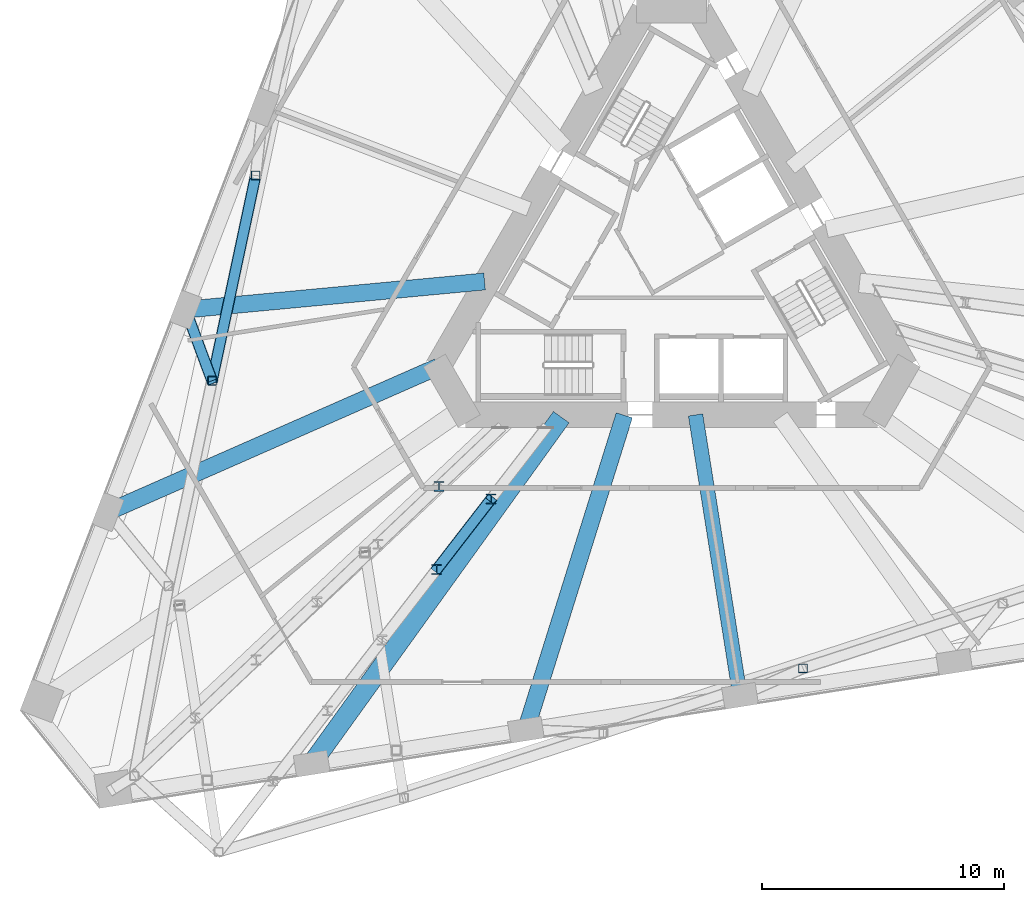
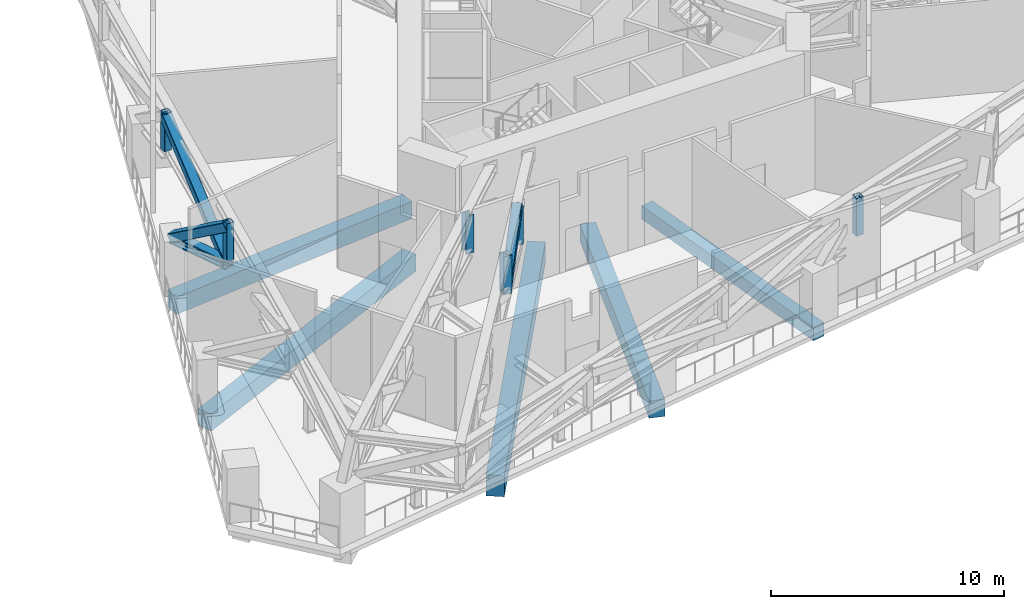
# One storey, part 4 of 20: 10 members, 5 beams.
"""IFC4 building model written with IfcOpenShell, lengths in metres."""

import ifcopenshell
import ifcopenshell.guid

model = None  # the IFC model being written
_history = None  # IfcOwnerHistory: only IFC2X3 demands one
_inside = {}  # id of a spatial element -> (the spatial element, [elements in it])
_under = {}  # id of a project, library or spatial element -> (it, [spatial elements below it])
_declared = {}  # id of a project -> (the project, [libraries it declares])
_typed = {}  # id of a type object -> (the type object, [elements of that type])
_made_of = {}  # id of a material, layer set ... -> (it, [elements and type objects made of it])


def new_model(schema):
    """Start an empty IFC model of exactly this schema.

    Asked for "IFC4X3", IfcOpenShell would pick the latest addendum, in which some entities
    have other attributes; the version numbers below select the first issue.
    IFC2X3 requires an IfcOwnerHistory on every rooted entity: one is made here for all.
    """
    global model, _history
    if schema == "IFC4X3":
        model = ifcopenshell.file(schema_version=(4, 3, 0, 0))
    else:
        model = ifcopenshell.file(schema=schema)
    _inside.clear()
    _under.clear()
    _declared.clear()
    _typed.clear()
    _made_of.clear()
    _history = None
    if model.schema == "IFC2X3":
        org = make("IfcOrganization", Name="unknown")
        user = make(
            "IfcPersonAndOrganization",
            ThePerson=make("IfcPerson", FamilyName="unknown"),
            TheOrganization=org,
        )
        app = make(
            "IfcApplication",
            ApplicationDeveloper=org,
            Version="unknown",
            ApplicationFullName="unknown",
            ApplicationIdentifier="unknown",
        )
        _history = make(
            "IfcOwnerHistory",
            OwningUser=user,
            OwningApplication=app,
            ChangeAction="ADDED",
            CreationDate=0,
        )
    return model


def make(cls, **values):
    """One entity of the class cls with the attributes given. An attribute that is None is left unset."""
    return model.create_entity(
        cls, **{name: value for name, value in values.items() if value is not None}
    )


def rooted(cls, **values):
    """An entity with a GlobalId (a new one), such as an element, a storey or a relation."""
    return make(cls, GlobalId=ifcopenshell.guid.new(), OwnerHistory=_history, **values)


def si_unit(unit_type, name, prefix=None):
    """IfcSIUnit, for example si_unit("LENGTHUNIT", "METRE", prefix="MILLI")."""
    return make("IfcSIUnit", UnitType=unit_type, Prefix=prefix, Name=name)


def assignment(units):
    """IfcUnitAssignment: the units of a project."""
    return None if units is None else make("IfcUnitAssignment", Units=units)


def point(xyz):
    """IfcCartesianPoint."""
    return None if xyz is None else make("IfcCartesianPoint", Coordinates=xyz)


def direction(xyz):
    """IfcDirection."""
    return None if xyz is None else make("IfcDirection", DirectionRatios=xyz)


def frame(location, z_axis=None, x_axis=None):
    """IfcAxis2Placement3D, a coordinate frame: its origin and axes. An axis left out is left unset."""
    return make(
        "IfcAxis2Placement3D",
        Location=point(location),
        Axis=direction(z_axis),
        RefDirection=direction(x_axis),
    )


def frame_2d(location, x_axis=None):
    """IfcAxis2Placement2D, a coordinate frame in the plane: its origin and x axis."""
    return make(
        "IfcAxis2Placement2D", Location=point(location), RefDirection=direction(x_axis)
    )


def origin():
    """The frame at (0, 0, 0) with its axes left unset."""
    return frame((0.0, 0.0, 0.0))


def origin_2d():
    """The frame at (0, 0) in the plane with its x axis left unset."""
    return frame_2d((0.0, 0.0))


def place(relative_to, where):
    """IfcLocalPlacement: puts the frame where relative to a parent placement (None: the world)."""
    return make(
        "IfcLocalPlacement", PlacementRelTo=relative_to, RelativePlacement=where
    )


def context(
    kind, dimensions, precision=None, world=None, true_north=None, identifier=None
):
    """IfcGeometricRepresentationContext, for example the 3D "Model" context."""
    return make(
        "IfcGeometricRepresentationContext",
        ContextIdentifier=identifier,
        ContextType=kind,
        CoordinateSpaceDimension=dimensions,
        Precision=precision,
        WorldCoordinateSystem=world,
        TrueNorth=true_north,
    )


def subcontext(parent, identifier, kind, view, scale=None):
    """IfcGeometricRepresentationSubContext, for example "Body" below "Model"."""
    return make(
        "IfcGeometricRepresentationSubContext",
        ContextIdentifier=identifier,
        ContextType=kind,
        ParentContext=parent,
        TargetScale=scale,
        TargetView=view,
    )


def project(units=None, contexts=None):
    """IfcProject with its units and contexts."""
    return rooted(
        "IfcProject",
        Name="project",
        RepresentationContexts=contexts,
        UnitsInContext=assignment(units),
    )


def spatial(cls, under=None, at=None, **own):
    """A site, building, storey or space (cls), placed at a placement, below another one or the project."""
    s = rooted(cls, ObjectPlacement=at, **own)
    if under is not None:
        _under.setdefault(under.id(), (under, []))[1].append(s)
    return s


def profile(cls, at=None, kind="AREA", **sizes):
    """A parametric profile (cls). Its sizes go by their IFC names, for example OverallWidth=200.0."""
    return make(cls, ProfileType=kind, Position=at, **sizes)


def rectangle(**sizes):
    """IfcRectangleProfileDef."""
    return profile("IfcRectangleProfileDef", **sizes)


def hollow_rectangle(**sizes):
    """IfcRectangleHollowProfileDef."""
    return profile("IfcRectangleHollowProfileDef", **sizes)


def i_section(**sizes):
    """IfcIShapeProfileDef."""
    return profile("IfcIShapeProfileDef", **sizes)


def extrude(swept, where, along, depth):
    """IfcExtrudedAreaSolid: the profile swept, set in the frame where, extruded along a direction by depth."""
    return make(
        "IfcExtrudedAreaSolid",
        SweptArea=swept,
        Position=where,
        ExtrudedDirection=direction(along),
        Depth=depth,
    )


def shape(context_of_items, identifier, shape_type, items):
    """IfcShapeRepresentation: the items that make up one representation, for example the "Body"."""
    return make(
        "IfcShapeRepresentation",
        ContextOfItems=context_of_items,
        RepresentationIdentifier=identifier,
        RepresentationType=shape_type,
        Items=items,
    )


def material(Name=None, Category=None):
    """IfcMaterial."""
    return make("IfcMaterial", Name=Name, Category=Category)


def material_profile(
    of_material, cross_section, Name=None, Category=None, Priority=None
):
    """IfcMaterialProfile: a cross section and its material."""
    return make(
        "IfcMaterialProfile",
        Name=Name,
        Material=of_material,
        Profile=cross_section,
        Priority=Priority,
        Category=Category,
    )


def profile_set(profiles, Name=None, composite=None):
    """IfcMaterialProfileSet."""
    return make(
        "IfcMaterialProfileSet",
        Name=Name,
        MaterialProfiles=profiles,
        CompositeProfile=composite,
    )


def made_of(thing, what):
    """Note that an element or type object is made of a material, layer set ...; save() writes the relation."""
    if what is not None:
        _made_of.setdefault(what.id(), (what, []))[1].append(thing)
    return thing


def type_object(cls, material=None, **own):
    """A type object (cls), such as IfcWallType, which elements share."""
    return made_of(rooted(cls, **own), material)


def element(
    cls,
    number,
    at=None,
    inside=None,
    cuts=None,
    type_object=None,
    material=None,
    context=None,
    identifier="Body",
    shape_type=None,
    held_by="IfcProductDefinitionShape",
    body=None,
    shapes=None,
    **own,
):
    """One element of the class cls, such as IfcWall. Its Tag is "e" and its number.

    at: its placement. inside: the storey or other place that contains it. cuts: it is an
    opening in that element (IfcRelVoidsElement). A single representation is given by context,
    identifier, shape_type and body (its items); several are given by shapes. held_by: the class
    of the entity that holds the representations. save() writes the other relations.
    """
    e = rooted(cls, Tag="e%d" % number, ObjectPlacement=at, **own)
    if body is not None:
        shapes = [shape(context, identifier, shape_type, body)]
    if shapes is not None:
        e.Representation = make(held_by, Representations=shapes)
    if inside is not None:
        _inside.setdefault(inside.id(), (inside, []))[1].append(e)
    if cuts is not None:
        rooted(
            "IfcRelVoidsElement", RelatingBuildingElement=cuts, RelatedOpeningElement=e
        )
    if type_object is not None:
        _typed.setdefault(type_object.id(), (type_object, []))[1].append(e)
    return made_of(e, material)


def aggregate(whole, parts):
    """IfcRelAggregates: a whole, such as a stair, and the parts it consists of."""
    return rooted("IfcRelAggregates", RelatingObject=whole, RelatedObjects=parts)


def save(model, path):
    """Write the relations noted so far, then the file.

    IfcRelAggregates (storeys below a building ...), IfcRelContainedInSpatialStructure (elements
    in a storey), IfcRelDefinesByType, IfcRelAssociatesMaterial and IfcRelDeclares: one each for
    every whole, place, type object, material and project.
    """
    for whole, parts in _under.values():
        aggregate(whole, parts)
    for where, things in _inside.values():
        rooted(
            "IfcRelContainedInSpatialStructure",
            RelatedElements=things,
            RelatingStructure=where,
        )
    for kind, things in _typed.values():
        rooted("IfcRelDefinesByType", RelatedObjects=things, RelatingType=kind)
    for what, things in _made_of.values():
        rooted("IfcRelAssociatesMaterial", RelatedObjects=things, RelatingMaterial=what)
    for by, libraries in _declared.values():
        rooted("IfcRelDeclares", RelatingContext=by, RelatedDefinitions=libraries)
    model.write(path)


model = new_model("IFC4")

# Units and contexts
model_context = context("Model", 3, precision=1e-05, world=origin(), true_north=direction((0.0, 1.0)))
body_context = subcontext(model_context, "Body", "Model", "MODEL_VIEW")
ifc_project = project(units=[si_unit("LENGTHUNIT", "METRE"), si_unit("AREAUNIT", "SQUARE_METRE"), si_unit("VOLUMEUNIT", "CUBIC_METRE"), si_unit("PLANEANGLEUNIT", "RADIAN"), si_unit("MASSUNIT", "GRAM", prefix="KILO")], contexts=[model_context])

# Site, building, storey
site_placement = place(None, origin())
site = spatial("IfcSite", under=ifc_project, at=site_placement, CompositionType="ELEMENT")
building_placement = place(site_placement, origin())
building = spatial("IfcBuilding", under=site, at=building_placement, Name="Tramontana Tower", CompositionType="ELEMENT")
storey_placement = place(building_placement, frame((0.0, 0.0, 83.199951171875)))
storey = spatial("IfcBuildingStorey", under=building, at=storey_placement, Name="L18", CompositionType="ELEMENT", Elevation=83.199951171875)

# Members
ifc_material_1 = material(Name="Steel ASTM A500 Grade C", Category="steel")
ifc_material_profile_1 = material_profile(ifc_material_1, hollow_rectangle(XDim=0.355712890625, YDim=0.355712890625, WallThickness=0.01171875, InnerFilletRadius=0.01171875, OuterFilletRadius=0.023681640625, at=origin_2d()), Name="HSS14X14X1/2")
ifc_profile_set_1 = profile_set([ifc_material_profile_1], Name="Steel ASTM A500 Grade C")
member_type_1 = type_object("IfcMemberType", Name="Belt truss HSS14X14X1/2 post", PredefinedType="POST", material=ifc_profile_set_1)
for number, where, z_axis, x_axis, name in (
    (1, (-17.16650390625, 3.64892578125, 2.86376953125), (0.0, 0.0, 1.0), (1.0, 0.0, 0.0), "Belt truss post C2F03"),
    (2, (-18.967041015625, -4.822265625, 2.86376953125), (0.0, 0.0, 1.0), (1.0, 0.0, 0.0), "Belt truss post C2F04"),
    (3, (5.423095703125, -16.69091796875, 2.86376953125), (0.0, 0.0, 1.0), (1.0, 0.0, 0.0), "Belt truss post C2F08"),
):
    element("IfcMember", number, at=place(storey_placement, frame(where, z_axis=z_axis, x_axis=x_axis)), inside=storey, type_object=member_type_1, Name=name, PredefinedType="POST", context=body_context, shape_type="SweptSolid", body=[
        extrude(hollow_rectangle(XDim=0.355712890625, YDim=0.355712890625, WallThickness=0.01171875, InnerFilletRadius=0.01171875, OuterFilletRadius=0.023681640625, at=origin_2d()), origin(), (0.0, 0.0, 1.0), 1.986328125),
    ])
ifc_material_2 = material(Name="Steel ASTM A500 Grade C", Category="steel")
ifc_material_profile_2 = material_profile(ifc_material_2, hollow_rectangle(XDim=0.457275390625, YDim=0.457275390625, WallThickness=0.017822265625, InnerFilletRadius=0.017822265625, OuterFilletRadius=0.035400390625, at=origin_2d()), Name="HSS18X18X3/4")
ifc_profile_set_2 = profile_set([ifc_material_profile_2], Name="Steel ASTM A500 Grade C")
member_type_2 = type_object("IfcMemberType", Name="Belt truss HSS18X18X3/4 brace", PredefinedType="BRACE", material=ifc_profile_set_2)
member_1_placement = place(storey_placement, frame((-17.16650390625, 3.64892578125, 4.6181640625), z_axis=(-0.202642291593, -0.953394201177, -0.223552228393), x_axis=(0.978149249389, -0.207903934355, 0.0)))
element("IfcMember", 4, at=member_1_placement, inside=storey, type_object=member_type_2, Name="Belt truss diagonal S0.4", PredefinedType="BRACE", context=body_context, shape_type="SweptSolid", body=[
    extrude(hollow_rectangle(XDim=0.457275390625, YDim=0.457275390625, WallThickness=0.017822265625, InnerFilletRadius=0.017822265625, OuterFilletRadius=0.035400390625, at=origin_2d()), origin(), (0.0, 0.0, 1.0), 8.88525390625),
])

# Beams
ifc_material_3 = material(Name="Concrete 40 MPa", Category="concrete")
ifc_material_profile_3 = material_profile(ifc_material_3, rectangle(XDim=0.60009765625, YDim=0.699951171875, at=origin_2d()), Name="RC GIRDER 600X700 40 MPa")
ifc_profile_set_3 = profile_set([ifc_material_profile_3], Name="Concrete 40 MPa")
beam_type_1 = type_object("IfcBeamType", Name="RC GIRDER 600X700 40 MPa", PredefinedType="BEAM", material=ifc_profile_set_3)
beam_1_placement = place(storey_placement, frame((2.823486328125, -17.827880859375, -0.699951171875), z_axis=(-0.156412100064, 0.9876918826, 0.0), x_axis=(-0.9876918826, -0.156412100064, 0.0)))
element("IfcBeam", 5, at=beam_1_placement, inside=storey, type_object=beam_type_1, Name="Radial girder C1F08 L18", PredefinedType="BEAM", context=body_context, shape_type="SweptSolid", body=[
    extrude(rectangle(XDim=0.60009765625, YDim=0.699951171875, at=origin_2d()), origin(), (0.0, 0.0, 1.0), 11.740966796875),
])
ifc_material_4 = material(Name="Concrete 40 MPa", Category="concrete")
ifc_material_profile_4 = material_profile(ifc_material_4, rectangle(XDim=0.699951171875, YDim=0.89990234375, at=origin_2d()), Name="RC GIRDER 700X900 40 MPa")
ifc_profile_set_4 = profile_set([ifc_material_profile_4], Name="Concrete 40 MPa")
beam_type_2 = type_object("IfcBeamType", Name="RC GIRDER 700X900 40 MPa", PredefinedType="BEAM", material=ifc_profile_set_4)
beam_2_placement = place(storey_placement, frame((-20.05810546875, -1.885986328125, -0.800048828125), z_axis=(0.995608960431, 0.093609817375, 0.0), x_axis=(-0.093609817375, 0.995608960431, 0.0)))
element("IfcBeam", 6, at=beam_2_placement, inside=storey, type_object=beam_type_2, Name="Radial girder C1F04 L18", PredefinedType="BEAM", context=body_context, shape_type="SweptSolid", body=[
    extrude(rectangle(XDim=0.699951171875, YDim=0.89990234375, at=origin_2d()), origin(), (0.0, 0.0, 1.0), 12.3935546875),
])
beam_3_placement = place(storey_placement, frame((-23.26513671875, -10.240478515625, -0.800048828125), z_axis=(0.915262520168, 0.402857939199, 0.0), x_axis=(-0.402857939199, 0.915262520168, 0.0)))
element("IfcBeam", 7, at=beam_3_placement, inside=storey, type_object=beam_type_2, Name="Radial girder C1F05 L18", PredefinedType="BEAM", context=body_context, shape_type="SweptSolid", body=[
    extrude(rectangle(XDim=0.699951171875, YDim=0.89990234375, at=origin_2d()), origin(), (0.0, 0.0, 1.0), 14.87841796875),
])
beam_4_placement = place(storey_placement, frame((-6.01513671875, -19.227783203125, -0.800048828125), z_axis=(0.298567329493, 0.954388573779, 0.0), x_axis=(-0.954388573779, 0.298567329493, 0.0)))
element("IfcBeam", 8, at=beam_4_placement, inside=storey, type_object=beam_type_2, Name="Radial girder C1F07 L18", PredefinedType="BEAM", context=body_context, shape_type="SweptSolid", body=[
    extrude(rectangle(XDim=0.699951171875, YDim=0.89990234375, at=origin_2d()), origin(), (0.0, 0.0, 1.0), 13.599365234375),
])
ifc_material_5 = material(Name="Concrete 40 MPa", Category="concrete")
ifc_material_profile_5 = material_profile(ifc_material_5, rectangle(XDim=0.800048828125, YDim=1.10009765625, at=origin_2d()), Name="RC GIRDER 800X1100 40 MPa")
ifc_profile_set_5 = profile_set([ifc_material_profile_5], Name="Concrete 40 MPa")
beam_type_3 = type_object("IfcBeamType", Name="RC GIRDER 800X1100 40 MPa", PredefinedType="BEAM", material=ifc_profile_set_5)
beam_5_placement = place(storey_placement, frame((-14.85400390625, -20.627685546875, -0.89990234375), z_axis=(0.584356173005, 0.81149729702, 0.0), x_axis=(-0.81149729702, 0.584356173005, 0.0)))
element("IfcBeam", 9, at=beam_5_placement, inside=storey, type_object=beam_type_3, Name="Radial girder C1F06 L18", PredefinedType="BEAM", context=body_context, shape_type="SweptSolid", body=[
    extrude(rectangle(XDim=0.800048828125, YDim=1.10009765625, at=origin_2d()), origin(), (0.0, 0.0, 1.0), 17.626220703125),
])

# Members
ifc_material_6 = material(Name="Steel ASTM A500 Grade C", Category="steel")
ifc_material_profile_6 = material_profile(ifc_material_6, hollow_rectangle(XDim=0.457275390625, YDim=0.457275390625, WallThickness=0.017822265625, InnerFilletRadius=0.017822265625, OuterFilletRadius=0.035400390625, at=origin_2d()), Name="HSS18X18X3/4")
ifc_profile_set_6 = profile_set([ifc_material_profile_6], Name="Steel ASTM A500 Grade C")
member_type_3 = type_object("IfcMemberType", Name="Transfer truss HSS18X18X3/4 brace", PredefinedType="BRACE", material=ifc_profile_set_6)
member_2_placement = place(storey_placement, frame((-20.05810546875, -1.885986328125, 2.6318359375), z_axis=(0.29415630746, -0.791635244981, 0.53552376762), x_axis=(0.937378745932, 0.34831176649, 0.0)))
element("IfcMember", 10, at=member_2_placement, inside=storey, type_object=member_type_3, Name="Transfer truss strut C2F04 diagonal", PredefinedType="BRACE", context=body_context, shape_type="SweptSolid", body=[
    extrude(hollow_rectangle(XDim=0.457275390625, YDim=0.457275390625, WallThickness=0.017822265625, InnerFilletRadius=0.017822265625, OuterFilletRadius=0.035400390625, at=origin_2d()), origin(), (0.0, 0.0, 1.0), 3.709228515625),
])
member_3_placement = place(storey_placement, frame((-7.450439453125, -9.70263671875, 4.6181640625), z_axis=(-0.537904812254, -0.696462384436, -0.474972167626), x_axis=(0.791433791941, -0.611254900163, 0.0)))
element("IfcMember", 11, at=member_3_placement, inside=storey, type_object=member_type_3, Name="Transfer truss diagonal 2.2", PredefinedType="BRACE", context=body_context, shape_type="SweptSolid", body=[
    extrude(hollow_rectangle(XDim=0.457275390625, YDim=0.457275390625, WallThickness=0.017822265625, InnerFilletRadius=0.017822265625, OuterFilletRadius=0.035400390625, at=origin_2d()), origin(), (0.0, 0.0, 1.0), 4.181884765625),
])
ifc_material_7 = material(Name="Steel ASTM A992 Grade 50", Category="steel")
ifc_material_profile_7 = material_profile(ifc_material_7, i_section(OverallWidth=0.4033203125, OverallDepth=0.406494140625, WebThickness=0.027099609375, FlangeThickness=0.04443359375, FilletRadius=0.01513671875, at=origin_2d()), Name="W14X233")
ifc_profile_set_7 = profile_set([ifc_material_profile_7], Name="Steel ASTM A992 Grade 50")
member_type_4 = type_object("IfcMemberType", Name="Transfer truss W14X233 post", PredefinedType="POST", material=ifc_profile_set_7)
for number, where, z_axis, x_axis, name in (
    (12, (-9.60009765625, -9.18017578125, 2.6318359375), (0.0, 0.0, 1.0), (1.0, 0.0, 0.0), "Transfer truss post 1.1"),
    (13, (-7.450439453125, -9.70263671875, 2.6318359375), (0.0, 0.0, 1.0), (1.0, 0.0, 0.0), "Transfer truss post 2.1"),
    (14, (-9.699951171875, -12.615234375, 2.6318359375), (0.0, 0.0, 1.0), (1.0, 0.0, 0.0), "Transfer truss post 2.2"),
):
    element("IfcMember", number, at=place(storey_placement, frame(where, z_axis=z_axis, x_axis=x_axis)), inside=storey, type_object=member_type_4, Name=name, PredefinedType="POST", context=body_context, shape_type="SweptSolid", body=[
        extrude(i_section(OverallWidth=0.4033203125, OverallDepth=0.406494140625, WebThickness=0.027099609375, FlangeThickness=0.04443359375, FilletRadius=0.01513671875, at=origin_2d()), origin(), (0.0, 0.0, 1.0), 1.986328125),
    ])
ifc_material_8 = material(Name="Steel ASTM A992 Grade 50", Category="steel")
ifc_material_profile_8 = material_profile(ifc_material_8, i_section(OverallWidth=0.42236328125, OverallDepth=0.463623046875, WebThickness=0.04443359375, FlangeThickness=0.072998046875, FilletRadius=0.014892578125, at=origin_2d()), Name="W14X398")
ifc_profile_set_8 = profile_set([ifc_material_profile_8], Name="Steel ASTM A992 Grade 50")
member_type_5 = type_object("IfcMemberType", Name="Transfer truss W14X398 strut", PredefinedType="STRUT", material=ifc_profile_set_8)
member_4_placement = place(storey_placement, frame((-20.05810546875, -1.885986328125, 2.6318359375), z_axis=(0.34831176649, -0.937378745932, 0.0), x_axis=(0.937378745932, 0.34831176649, 0.0)))
element("IfcMember", 15, at=member_4_placement, inside=storey, type_object=member_type_5, Name="Transfer truss strut C2F04 bottom", PredefinedType="STRUT", context=body_context, shape_type="SweptSolid", body=[
    extrude(i_section(OverallWidth=0.42236328125, OverallDepth=0.463623046875, WebThickness=0.04443359375, FlangeThickness=0.072998046875, FilletRadius=0.014892578125, at=origin_2d()), origin(), (0.0, 0.0, 1.0), 3.13232421875),
])

save(model, "model.ifc")
